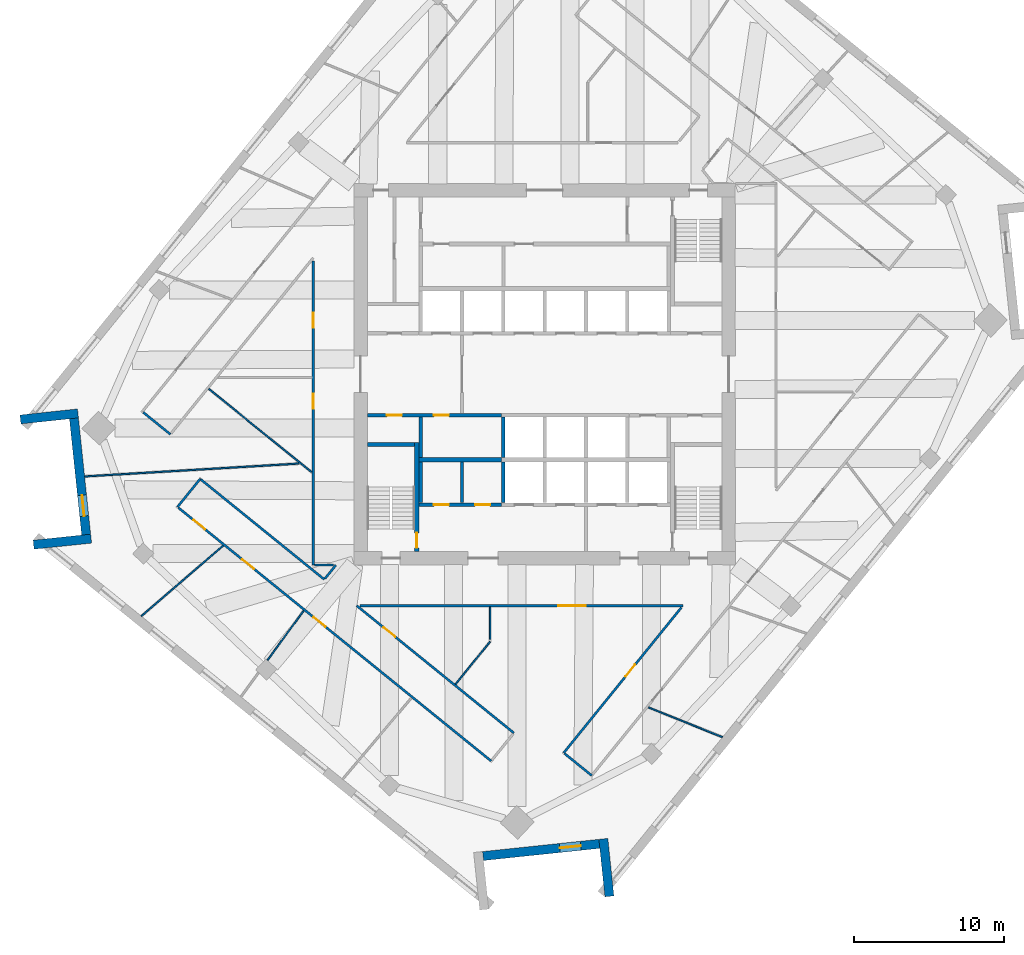
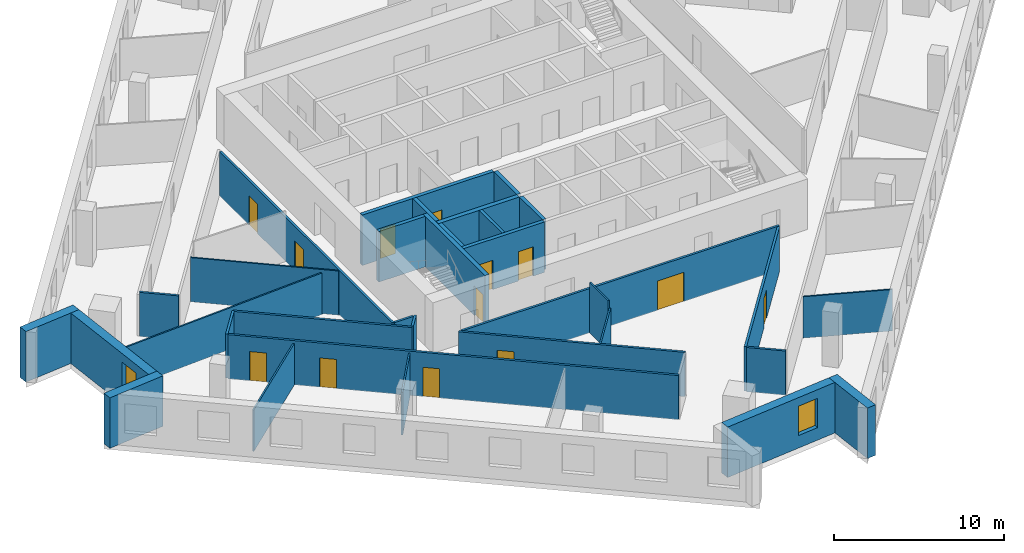
# One storey, part 7 of 14: 33 walls, 13 doors, 2 windows, 15 openings.
"""IFC4 building model written with IfcOpenShell, lengths in metres."""

from ifc_helpers import new_model, si_unit, direction, frame, frame_2d, origin, place, context, subcontext, project, spatial, rectangle, extrude, material, layer, layer_set, type_object, element, fill, save


model = new_model("IFC4")

# Units and contexts
model_context = context("Model", 3, precision=1e-05, world=origin(), true_north=direction((0.0, 1.0)))
body_context = subcontext(model_context, "Body", "Model", "MODEL_VIEW")
ifc_project = project(units=[si_unit("LENGTHUNIT", "METRE"), si_unit("AREAUNIT", "SQUARE_METRE"), si_unit("VOLUMEUNIT", "CUBIC_METRE"), si_unit("PLANEANGLEUNIT", "RADIAN"), si_unit("MASSUNIT", "GRAM", prefix="KILO")], contexts=[model_context])

# Site, building, storey
site_placement = place(None, origin())
site = spatial("IfcSite", under=ifc_project, at=site_placement, CompositionType="ELEMENT")
building_placement = place(site_placement, origin())
building = spatial("IfcBuilding", under=site, at=building_placement, Name="Dilmun Exchange Tower", CompositionType="ELEMENT")
storey_placement = place(building_placement, frame((0.0, 0.0, 225.300048828125)))
storey = spatial("IfcBuildingStorey", under=building, at=storey_placement, Name="L53", CompositionType="ELEMENT", Elevation=225.300048828125)

# Wall
ifc_material_1 = material(Name="Concrete C40/50", Category="concrete")
ifc_layer_1 = layer(ifc_material_1, 0.199951171875)
ifc_layer_set_1 = layer_set([ifc_layer_1], Name="Concrete C40/50")
wall_type_1 = type_object("IfcWallType", Name="Core partition wall 200", PredefinedType="PARTITIONING", material=ifc_layer_set_1)
wall_1_placement = place(storey_placement, frame((-5.5, -8.544921875, 0.0), z_axis=(0.0, 0.0, 1.0), x_axis=(0.0, 1.0, 0.0)))
element("IfcWall", 1, at=wall_1_placement, inside=storey, type_object=wall_type_1, Name="L53 core partition wall 04", PredefinedType="PARTITIONING", context=body_context, shape_type="SweptSolid", body=[
    extrude(rectangle(XDim=2.68994140625, YDim=0.199951171875, at=frame_2d((1.344970703125, 0.0))), origin(), (0.0, 0.0, 1.0), 3.619873046875),
])

# Wall, openings, doors
ifc_layer_2 = layer(ifc_material_1, 0.25)
ifc_layer_set_2 = layer_set([ifc_layer_2], Name="Concrete C40/50")
wall_type_2 = type_object("IfcWallType", Name="Core partition wall 250", PredefinedType="PARTITIONING", material=ifc_layer_set_2)
wall_2_placement = place(storey_placement, frame((-8.3701171875, -8.675048828125, 0.0), z_axis=(0.0, 0.0, 1.0), x_axis=(1.0, 0.0, 0.0)))
wall_2 = element("IfcWall", 2, at=wall_2_placement, inside=storey, type_object=wall_type_2, Name="L53 core partition wall 02", PredefinedType="PARTITIONING", context=body_context, shape_type="SweptSolid", body=[
    extrude(rectangle(XDim=5.490234375, YDim=0.25, at=frame_2d((2.7451171875, 0.0))), origin(), (0.0, 0.0, 1.0), 3.619873046875),
])
opening_1_placement = place(wall_2_placement, frame((0.9951171875, 0.0, 0.0)))
opening_1 = element("IfcOpeningElement", 3, at=opening_1_placement, cuts=wall_2, Name="Opening CD4", PredefinedType="OPENING", context=body_context, shape_type="SweptSolid", body=[
    extrude(rectangle(XDim=1.0, YDim=2.10009765625, at=frame_2d((0.5, 1.050048828125))), frame((0.0, 0.135009765625, 0.0), z_axis=(0.0, -1.0, 0.0), x_axis=(1.0, 0.0, 0.0)), (0.0, 0.0, 1.0), 0.27001953125),
])
opening_2_placement = place(wall_2_placement, frame((3.7451171875, 0.0, 0.0)))
opening_2 = element("IfcOpeningElement", 4, at=opening_2_placement, cuts=wall_2, Name="Opening CD4", PredefinedType="OPENING", context=body_context, shape_type="SweptSolid", body=[
    extrude(rectangle(XDim=1.0, YDim=2.10009765625, at=frame_2d((0.5, 1.050048828125))), frame((0.0, 0.135009765625, 0.0), z_axis=(0.0, -1.0, 0.0), x_axis=(1.0, 0.0, 0.0)), (0.0, 0.0, 1.0), 0.27001953125),
])
ifc_material_2 = material(Name="Fire-rated steel door set", Category="steel")
door_type_1 = type_object("IfcDoorType", Name="Core room door 1000x2100", OperationType="SINGLE_SWING_LEFT", PredefinedType="DOOR", material=ifc_material_2)
door_1_placement = place(opening_1_placement, origin())
door_1 = element("IfcDoor", 5, at=door_1_placement, inside=storey, type_object=door_type_1, Name="L53 door Male WC", OperationType="SINGLE_SWING_RIGHT", OverallHeight=2.10009765625, OverallWidth=1.0, PredefinedType="DOOR", context=body_context, shape_type="SweptSolid", body=[
    extrude(rectangle(XDim=1.0, YDim=2.10009765625, at=frame_2d((0.5, 1.050048828125))), frame((0.0, 0.02490234375, 0.0), z_axis=(0.0, -1.0, 0.0), x_axis=(1.0, 0.0, 0.0)), (0.0, 0.0, 1.0), 0.050048828125),
])
fill(opening_1, door_1)
door_2_placement = place(opening_2_placement, origin())
door_2 = element("IfcDoor", 6, at=door_2_placement, inside=storey, type_object=door_type_1, Name="L53 door Female WC", OperationType="SINGLE_SWING_RIGHT", OverallHeight=2.10009765625, OverallWidth=1.0, PredefinedType="DOOR", context=body_context, shape_type="SweptSolid", body=[
    extrude(rectangle(XDim=1.0, YDim=2.10009765625, at=frame_2d((0.5, 1.050048828125))), frame((0.0, 0.02490234375, 0.0), z_axis=(0.0, -1.0, 0.0), x_axis=(1.0, 0.0, 0.0)), (0.0, 0.0, 1.0), 0.050048828125),
])
fill(opening_2, door_2)

# Walls
for number, where, z_axis, x_axis, name in (
    (7, (-8.25, -8.544921875, 0.0), (0.0, 0.0, 1.0), (0.0, 1.0, 0.0), "L53 core partition wall 03"),
    (8, (-8.25, -5.544921875, 0.0), (0.0, 0.0, 1.0), (0.0, 1.0, 0.0), "L53 core partition wall 06"),
):
    element("IfcWall", number, at=place(storey_placement, frame(where, z_axis=z_axis, x_axis=x_axis)), inside=storey, type_object=wall_type_2, Name=name, PredefinedType="PARTITIONING", context=body_context, shape_type="SweptSolid", body=[
        extrude(rectangle(XDim=2.68994140625, YDim=0.25, at=frame_2d((1.344970703125, 0.0))), origin(), (0.0, 0.0, 1.0), 3.619873046875),
    ])

# Wall, openings, doors
wall_3_placement = place(storey_placement, frame((-11.794921875, -2.72509765625, 0.0), z_axis=(0.0, 0.0, 1.0), x_axis=(1.0, 0.0, 0.0)))
wall_3 = element("IfcWall", 9, at=wall_3_placement, inside=storey, type_object=wall_type_2, Name="L53 core partition wall 08", PredefinedType="PARTITIONING", context=body_context, shape_type="SweptSolid", body=[
    extrude(rectangle(XDim=8.9150390625, YDim=0.25, at=frame_2d((4.45751953125, 0.0))), origin(), (0.0, 0.0, 1.0), 3.619873046875),
])
opening_3_placement = place(wall_3_placement, frame((1.294921875, 0.0, 0.0)))
opening_3 = element("IfcOpeningElement", 10, at=opening_3_placement, cuts=wall_3, Name="Opening CD4", PredefinedType="OPENING", context=body_context, shape_type="SweptSolid", body=[
    extrude(rectangle(XDim=1.0, YDim=2.10009765625, at=frame_2d((0.5, 1.050048828125))), frame((0.0, 0.135009765625, 0.0), z_axis=(0.0, -1.0, 0.0), x_axis=(1.0, 0.0, 0.0)), (0.0, 0.0, 1.0), 0.27001953125),
])
opening_4_placement = place(wall_3_placement, frame((4.419921875, 0.0, 0.0)))
opening_4 = element("IfcOpeningElement", 11, at=opening_4_placement, cuts=wall_3, Name="Opening CD4", PredefinedType="OPENING", context=body_context, shape_type="SweptSolid", body=[
    extrude(rectangle(XDim=1.0, YDim=2.10009765625, at=frame_2d((0.5, 1.050048828125))), frame((0.0, 0.135009765625, 0.0), z_axis=(0.0, -1.0, 0.0), x_axis=(1.0, 0.0, 0.0)), (0.0, 0.0, 1.0), 0.27001953125),
])
door_3_placement = place(opening_3_placement, origin())
door_3 = element("IfcDoor", 12, at=door_3_placement, inside=storey, type_object=door_type_1, Name="L53 door Accessible WC", OperationType="SINGLE_SWING_RIGHT", OverallHeight=2.10009765625, OverallWidth=1.0, PredefinedType="DOOR", context=body_context, shape_type="SweptSolid", body=[
    extrude(rectangle(XDim=1.0, YDim=2.10009765625, at=frame_2d((0.5, 1.050048828125))), frame((0.0, 0.02490234375, 0.0), z_axis=(0.0, -1.0, 0.0), x_axis=(1.0, 0.0, 0.0)), (0.0, 0.0, 1.0), 0.050048828125),
])
fill(opening_3, door_3)
door_4_placement = place(opening_4_placement, origin())
door_4 = element("IfcDoor", 13, at=door_4_placement, inside=storey, type_object=door_type_1, Name="L53 door Tenant services room", OperationType="SINGLE_SWING_RIGHT", OverallHeight=2.10009765625, OverallWidth=1.0, PredefinedType="DOOR", context=body_context, shape_type="SweptSolid", body=[
    extrude(rectangle(XDim=1.0, YDim=2.10009765625, at=frame_2d((0.5, 1.050048828125))), frame((0.0, 0.02490234375, 0.0), z_axis=(0.0, -1.0, 0.0), x_axis=(1.0, 0.0, 0.0)), (0.0, 0.0, 1.0), 0.050048828125),
])
fill(opening_4, door_4)

# Walls
ifc_layer_3 = layer(ifc_material_1, 0.300048828125)
ifc_layer_set_3 = layer_set([ifc_layer_3], Name="Concrete C40/50")
wall_type_3 = type_object("IfcWallType", Name="Core partition wall 300", PredefinedType="PARTITIONING", material=ifc_layer_set_3)
wall_4_placement = place(storey_placement, frame((-8.35009765625, -5.699951171875, 0.0), z_axis=(0.0, 0.0, 1.0), x_axis=(1.0, 0.0, 0.0)))
element("IfcWall", 14, at=wall_4_placement, inside=storey, type_object=wall_type_3, Name="L53 core partition wall 05", PredefinedType="PARTITIONING", context=body_context, shape_type="SweptSolid", body=[
    extrude(rectangle(XDim=5.47021484375, YDim=0.300048828125, at=frame_2d((2.735107421875, 0.0))), origin(), (0.0, 0.0, 1.0), 3.619873046875),
])
ifc_material_3 = material(Name="Corridor wall 150")
ifc_layer_4 = layer(ifc_material_3, 0.14990234375)
ifc_layer_set_4 = layer_set([ifc_layer_4], Name="Corridor wall 150")
wall_type_4 = type_object("IfcWallType", Name="Corridor wall 150", PredefinedType="PARTITIONING", material=ifc_layer_set_4)
wall_5_placement = place(storey_placement, frame((-26.710693359375, -2.5341796875, 0.0), z_axis=(0.0, 0.0, 1.0), x_axis=(0.777166601342, -0.62929490206, 0.0)))
element("IfcWall", 15, at=wall_5_placement, inside=storey, type_object=wall_type_4, Name="Corridor wall", PredefinedType="PARTITIONING", context=body_context, shape_type="SweptSolid", body=[
    extrude(rectangle(XDim=2.32470703125, YDim=0.14990234375, at=frame_2d((1.162353515625, 0.0))), origin(), (0.0, 0.0, 1.0), 3.169921875),
])
wall_6_placement = place(storey_placement, frame((-24.431884765625, -8.8310546875, 0.0), z_axis=(0.0, 0.0, 1.0), x_axis=(0.629201155621, 0.77724250126, 0.0)))
element("IfcWall", 16, at=wall_6_placement, inside=storey, type_object=wall_type_4, Name="Corridor wall", PredefinedType="PARTITIONING", context=body_context, shape_type="SweptSolid", body=[
    extrude(rectangle(XDim=2.3994140625, YDim=0.14990234375, at=frame_2d((1.19970703125, 0.0))), origin(), (0.0, 0.0, 1.0), 3.169921875),
])

# Wall, openings, doors
wall_7_placement = place(storey_placement, frame((-24.373779296875, -8.878173828125, 0.0), z_axis=(0.0, 0.0, 1.0), x_axis=(0.777132572121, -0.629336925143, 0.0)))
wall_7 = element("IfcWall", 17, at=wall_7_placement, inside=storey, type_object=wall_type_4, Name="Corridor wall", PredefinedType="PARTITIONING", context=body_context, shape_type="SweptSolid", body=[
    extrude(rectangle(XDim=26.78515625, YDim=0.14990234375, at=frame_2d((13.392578125, 0.0))), origin(), (0.0, 0.0, 1.0), 3.169921875),
])
opening_5_placement = place(wall_7_placement, frame((1.300048828125, 0.0, 0.0)))
opening_5 = element("IfcOpeningElement", 18, at=opening_5_placement, cuts=wall_7, Name="Opening TF53-D02", PredefinedType="OPENING", context=body_context, shape_type="SweptSolid", body=[
    extrude(rectangle(XDim=1.0, YDim=2.10009765625, at=frame_2d((0.5, 1.050048828125))), frame((0.0, 0.0849609375, 0.0), z_axis=(0.0, -1.0, 0.0), x_axis=(1.0, 0.0, 0.0)), (0.0, 0.0, 1.0), 0.169921875),
])
opening_6_placement = place(wall_7_placement, frame((5.46142578125, 0.0, 0.0)))
opening_6 = element("IfcOpeningElement", 19, at=opening_6_placement, cuts=wall_7, Name="Opening TF53-D03", PredefinedType="OPENING", context=body_context, shape_type="SweptSolid", body=[
    extrude(rectangle(XDim=1.0, YDim=2.10009765625, at=frame_2d((0.5, 1.050048828125))), frame((0.0, 0.0849609375, 0.0), z_axis=(0.0, -1.0, 0.0), x_axis=(1.0, 0.0, 0.0)), (0.0, 0.0, 1.0), 0.169921875),
])
opening_7_placement = place(wall_7_placement, frame((11.586669921875, 0.0, 0.0)))
opening_7 = element("IfcOpeningElement", 20, at=opening_7_placement, cuts=wall_7, Name="Opening TF53-D08", PredefinedType="OPENING", context=body_context, shape_type="SweptSolid", body=[
    extrude(rectangle(XDim=1.0, YDim=2.10009765625, at=frame_2d((0.5, 1.050048828125))), frame((0.0, 0.0849609375, 0.0), z_axis=(0.0, -1.0, 0.0), x_axis=(1.0, 0.0, 0.0)), (0.0, 0.0, 1.0), 0.169921875),
])
ifc_material_4 = material(Name="Fire door 1000 x 2100")
door_type_2 = type_object("IfcDoorType", Name="Fire door 1000 x 2100", OperationType="NOTDEFINED", PredefinedType="DOOR", material=ifc_material_4)
door_5_placement = place(opening_5_placement, frame((1.0, 0.0, 0.0), z_axis=(0.0, 0.0, 1.0), x_axis=(-1.0, 0.0, 0.0)))
door_5 = element("IfcDoor", 21, at=door_5_placement, inside=storey, type_object=door_type_2, Name="Door TF53-D02", OperationType="SINGLE_SWING_LEFT", OverallHeight=2.10009765625, OverallWidth=1.0, PredefinedType="DOOR", context=body_context, shape_type="SweptSolid", body=[
    extrude(rectangle(XDim=1.0, YDim=2.10009765625, at=frame_2d((0.5, 1.050048828125))), frame((0.0, 0.02490234375, 0.0), z_axis=(0.0, -1.0, 0.0), x_axis=(1.0, 0.0, 0.0)), (0.0, 0.0, 1.0), 0.050048828125),
])
fill(opening_5, door_5)
door_6_placement = place(opening_6_placement, frame((1.0, 0.0, 0.0), z_axis=(0.0, 0.0, 1.0), x_axis=(-1.0, 0.0, 0.0)))
door_6 = element("IfcDoor", 22, at=door_6_placement, inside=storey, type_object=door_type_2, Name="Door TF53-D03", OperationType="SINGLE_SWING_LEFT", OverallHeight=2.10009765625, OverallWidth=1.0, PredefinedType="DOOR", context=body_context, shape_type="SweptSolid", body=[
    extrude(rectangle(XDim=1.0, YDim=2.10009765625, at=frame_2d((0.5, 1.050048828125))), frame((0.0, 0.02490234375, 0.0), z_axis=(0.0, -1.0, 0.0), x_axis=(1.0, 0.0, 0.0)), (0.0, 0.0, 1.0), 0.050048828125),
])
fill(opening_6, door_6)
door_7_placement = place(opening_7_placement, frame((1.0, 0.0, 0.0), z_axis=(0.0, 0.0, 1.0), x_axis=(-1.0, 0.0, 0.0)))
door_7 = element("IfcDoor", 23, at=door_7_placement, inside=storey, type_object=door_type_2, Name="Door TF53-D08", OperationType="SINGLE_SWING_RIGHT", OverallHeight=2.10009765625, OverallWidth=1.0, PredefinedType="DOOR", context=body_context, shape_type="SweptSolid", body=[
    extrude(rectangle(XDim=1.0, YDim=2.10009765625, at=frame_2d((0.5, 1.050048828125))), frame((0.0, 0.02490234375, 0.0), z_axis=(0.0, -1.0, 0.0), x_axis=(1.0, 0.0, 0.0)), (0.0, 0.0, 1.0), 0.050048828125),
])
fill(opening_7, door_7)

# Wall
wall_8_placement = place(storey_placement, frame((-22.922119140625, -6.965087890625, 0.0), z_axis=(0.0, 0.0, 1.0), x_axis=(0.777148029431, -0.629317837306, 0.0)))
element("IfcWall", 24, at=wall_8_placement, inside=storey, type_object=wall_type_4, Name="Corridor wall", PredefinedType="PARTITIONING", context=body_context, shape_type="SweptSolid", body=[
    extrude(rectangle(XDim=10.62744140625, YDim=0.14990234375, at=frame_2d((5.313720703125, 0.0))), origin(), (0.0, 0.0, 1.0), 3.169921875),
])

# Wall, openings, doors
wall_9_placement = place(storey_placement, frame((-15.39990234375, -12.699951171875, 0.0), z_axis=(0.0, 0.0, 1.0), x_axis=(0.0, 1.0, 0.0)))
wall_9 = element("IfcWall", 25, at=wall_9_placement, inside=storey, type_object=wall_type_4, Name="Corridor wall", PredefinedType="PARTITIONING", context=body_context, shape_type="SweptSolid", body=[
    extrude(rectangle(XDim=20.22705078125, YDim=0.14990234375, at=frame_2d((10.113525390625, 0.0))), origin(), (0.0, 0.0, 1.0), 3.169921875),
])
opening_8_placement = place(wall_9_placement, frame((10.399658203125, 0.0, 0.0)))
opening_8 = element("IfcOpeningElement", 26, at=opening_8_placement, cuts=wall_9, Name="Opening TF53-D05", PredefinedType="OPENING", context=body_context, shape_type="SweptSolid", body=[
    extrude(rectangle(XDim=1.0, YDim=2.10009765625, at=frame_2d((0.5, 1.050048828125))), frame((0.0, 0.0849609375, 0.0), z_axis=(0.0, -1.0, 0.0), x_axis=(1.0, 0.0, 0.0)), (0.0, 0.0, 1.0), 0.169921875),
])
opening_9_placement = place(wall_9_placement, frame((15.7841796875, 0.0, 0.0)))
opening_9 = element("IfcOpeningElement", 27, at=opening_9_placement, cuts=wall_9, Name="Opening TF53-D06", PredefinedType="OPENING", context=body_context, shape_type="SweptSolid", body=[
    extrude(rectangle(XDim=1.0, YDim=2.10009765625, at=frame_2d((0.5, 1.050048828125))), frame((0.0, 0.0849609375, 0.0), z_axis=(0.0, -1.0, 0.0), x_axis=(1.0, 0.0, 0.0)), (0.0, 0.0, 1.0), 0.169921875),
])
door_8_placement = place(opening_8_placement, origin())
door_8 = element("IfcDoor", 28, at=door_8_placement, inside=storey, type_object=door_type_2, Name="Door TF53-D05", OperationType="SINGLE_SWING_RIGHT", OverallHeight=2.10009765625, OverallWidth=1.0, PredefinedType="DOOR", context=body_context, shape_type="SweptSolid", body=[
    extrude(rectangle(XDim=1.0, YDim=2.10009765625, at=frame_2d((0.5, 1.050048828125))), frame((0.0, 0.02490234375, 0.0), z_axis=(0.0, -1.0, 0.0), x_axis=(1.0, 0.0, 0.0)), (0.0, 0.0, 1.0), 0.050048828125),
])
fill(opening_8, door_8)
door_9_placement = place(opening_9_placement, origin())
door_9 = element("IfcDoor", 29, at=door_9_placement, inside=storey, type_object=door_type_2, Name="Door TF53-D06", OperationType="SINGLE_SWING_LEFT", OverallHeight=2.10009765625, OverallWidth=1.0, PredefinedType="DOOR", context=body_context, shape_type="SweptSolid", body=[
    extrude(rectangle(XDim=1.0, YDim=2.10009765625, at=frame_2d((0.5, 1.050048828125))), frame((0.0, 0.02490234375, 0.0), z_axis=(0.0, -1.0, 0.0), x_axis=(1.0, 0.0, 0.0)), (0.0, 0.0, 1.0), 0.050048828125),
])
fill(opening_9, door_9)

# Walls
wall_10_placement = place(storey_placement, frame((-15.324951171875, -12.699951171875, 0.0), z_axis=(0.0, 0.0, 1.0), x_axis=(1.0, 0.0, 0.0)))
element("IfcWall", 30, at=wall_10_placement, inside=storey, type_object=wall_type_4, Name="Corridor wall", PredefinedType="PARTITIONING", context=body_context, shape_type="SweptSolid", body=[
    extrude(rectangle(XDim=1.276611328125, YDim=0.14990234375, at=frame_2d((0.63818359375, 0.0))), origin(), (0.0, 0.0, 1.0), 3.169921875),
])
wall_11_placement = place(storey_placement, frame((-14.61572265625, -13.5947265625, 0.0), z_axis=(0.0, 0.0, 1.0), x_axis=(0.629338514223, 0.777131285251, 0.0)))
element("IfcWall", 31, at=wall_11_placement, inside=storey, type_object=wall_type_4, Name="Corridor wall", PredefinedType="PARTITIONING", context=body_context, shape_type="SweptSolid", body=[
    extrude(rectangle(XDim=1.1513671875, YDim=0.14990234375, at=frame_2d((0.57568359375, 0.0))), origin(), (0.0, 0.0, 1.0), 3.169921875),
])

# Wall, opening, door
wall_12_placement = place(storey_placement, frame((-12.5048828125, -15.39990234375, 0.0), z_axis=(0.0, 0.0, 1.0), x_axis=(0.77712909422, -0.629341219783, 0.0)))
wall_12 = element("IfcWall", 32, at=wall_12_placement, inside=storey, type_object=wall_type_4, Name="Corridor wall", PredefinedType="PARTITIONING", context=body_context, shape_type="SweptSolid", body=[
    extrude(rectangle(XDim=13.45703125, YDim=0.14990234375, at=frame_2d((6.728515625, 0.0))), origin(), (0.0, 0.0, 1.0), 3.169921875),
])
opening_10_placement = place(wall_12_placement, frame((2.300048828125, 0.0, 0.0)))
opening_10 = element("IfcOpeningElement", 33, at=opening_10_placement, cuts=wall_12, Name="Opening TF53-D10", PredefinedType="OPENING", context=body_context, shape_type="SweptSolid", body=[
    extrude(rectangle(XDim=1.0, YDim=2.10009765625, at=frame_2d((0.5, 1.050048828125))), frame((0.0, 0.0849609375, 0.0), z_axis=(0.0, -1.0, 0.0), x_axis=(1.0, 0.0, 0.0)), (0.0, 0.0, 1.0), 0.169921875),
])
door_10_placement = place(opening_10_placement, origin())
door_10 = element("IfcDoor", 34, at=door_10_placement, inside=storey, type_object=door_type_2, Name="Door TF53-D10", OperationType="SINGLE_SWING_RIGHT", OverallHeight=2.10009765625, OverallWidth=1.0, PredefinedType="DOOR", context=body_context, shape_type="SweptSolid", body=[
    extrude(rectangle(XDim=1.0, YDim=2.10009765625, at=frame_2d((0.5, 1.050048828125))), frame((0.0, 0.02490234375, 0.0), z_axis=(0.0, -1.0, 0.0), x_axis=(1.0, 0.0, 0.0)), (0.0, 0.0, 1.0), 0.050048828125),
])
fill(opening_10, door_10)

wall_13_placement = place(storey_placement, frame((-12.293212890625, -15.39990234375, 0.0), z_axis=(0.0, 0.0, 1.0), x_axis=(1.0, 0.0, 0.0)))
wall_13 = element("IfcWall", 35, at=wall_13_placement, inside=storey, type_object=wall_type_4, Name="Corridor wall", PredefinedType="PARTITIONING", context=body_context, shape_type="SweptSolid", body=[
    extrude(rectangle(XDim=21.4892578125, YDim=0.14990234375, at=frame_2d((10.74462890625, 0.0))), origin(), (0.0, 0.0, 1.0), 3.169921875),
])
opening_11_placement = place(wall_13_placement, frame((13.21240234375, 0.0, 0.0)))
opening_11 = element("IfcOpeningElement", 36, at=opening_11_placement, cuts=wall_13, Name="Opening TF53-D11", PredefinedType="OPENING", context=body_context, shape_type="SweptSolid", body=[
    extrude(rectangle(XDim=1.800048828125, YDim=2.10009765625, at=frame_2d((0.89990234375, 1.050048828125))), frame((0.0, 0.0849609375, 0.0), z_axis=(0.0, -1.0, 0.0), x_axis=(1.0, 0.0, 0.0)), (0.0, 0.0, 1.0), 0.169921875),
])
ifc_material_5 = material(Name="Fire door pair 1800 x 2100")
door_type_3 = type_object("IfcDoorType", Name="Fire door pair 1800 x 2100", OperationType="NOTDEFINED", PredefinedType="DOOR", material=ifc_material_5)
door_11_placement = place(opening_11_placement, frame((1.800048828125, 0.0, 0.0), z_axis=(0.0, 0.0, 1.0), x_axis=(-1.0, 0.0, 0.0)))
door_11 = element("IfcDoor", 37, at=door_11_placement, inside=storey, type_object=door_type_3, Name="Door TF53-D11", OperationType="DOUBLE_DOOR_SINGLE_SWING", OverallHeight=2.10009765625, OverallWidth=1.800048828125, PredefinedType="DOOR", context=body_context, shape_type="SweptSolid", body=[
    extrude(rectangle(XDim=1.800048828125, YDim=2.10009765625, at=frame_2d((0.89990234375, 1.050048828125))), frame((0.0, 0.02490234375, 0.0), z_axis=(0.0, -1.0, 0.0), x_axis=(1.0, 0.0, 0.0)), (0.0, 0.0, 1.0), 0.050048828125),
])
fill(opening_11, door_11)

wall_14_placement = place(storey_placement, frame((1.26806640625, -25.19091796875, 0.0), z_axis=(0.0, 0.0, 1.0), x_axis=(0.629298143895, 0.777163976321, 0.0)))
wall_14 = element("IfcWall", 38, at=wall_14_placement, inside=storey, type_object=wall_type_4, Name="Corridor wall", PredefinedType="PARTITIONING", context=body_context, shape_type="SweptSolid", body=[
    extrude(rectangle(XDim=12.44091796875, YDim=0.14990234375, at=frame_2d((6.220458984375, 0.0))), origin(), (0.0, 0.0, 1.0), 3.169921875),
])
opening_12_placement = place(wall_14_placement, frame((6.55029296875, 0.0, 0.0)))
opening_12 = element("IfcOpeningElement", 39, at=opening_12_placement, cuts=wall_14, Name="Opening TF53-D12", PredefinedType="OPENING", context=body_context, shape_type="SweptSolid", body=[
    extrude(rectangle(XDim=1.0, YDim=2.10009765625, at=frame_2d((0.5, 1.050048828125))), frame((0.0, 0.0849609375, 0.0), z_axis=(0.0, -1.0, 0.0), x_axis=(1.0, 0.0, 0.0)), (0.0, 0.0, 1.0), 0.169921875),
])
door_12_placement = place(opening_12_placement, origin())
door_12 = element("IfcDoor", 40, at=door_12_placement, inside=storey, type_object=door_type_2, Name="Door TF53-D12", OperationType="SINGLE_SWING_LEFT", OverallHeight=2.10009765625, OverallWidth=1.0, PredefinedType="DOOR", context=body_context, shape_type="SweptSolid", body=[
    extrude(rectangle(XDim=1.0, YDim=2.10009765625, at=frame_2d((0.5, 1.050048828125))), frame((0.0, 0.02490234375, 0.0), z_axis=(0.0, -1.0, 0.0), x_axis=(1.0, 0.0, 0.0)), (0.0, 0.0, 1.0), 0.050048828125),
])
fill(opening_12, door_12)

# Walls
wall_15_placement = place(storey_placement, frame((1.326416015625, -25.23828125, 0.0), z_axis=(0.0, 0.0, 1.0), x_axis=(0.777217965191, -0.629231463441, 0.0)))
element("IfcWall", 41, at=wall_15_placement, inside=storey, type_object=wall_type_4, Name="Corridor wall", PredefinedType="PARTITIONING", context=body_context, shape_type="SweptSolid", body=[
    extrude(rectangle(XDim=2.324462890625, YDim=0.14990234375, at=frame_2d((1.162109375, 0.0))), origin(), (0.0, 0.0, 1.0), 3.169921875),
])
ifc_layer_5 = layer(ifc_material_1, 0.25)
ifc_layer_set_5 = layer_set([ifc_layer_5], Name="Concrete C40/50")
wall_type_5 = type_object("IfcWallType", Name="Lift shaft wall 250", PredefinedType="SOLIDWALL", material=ifc_layer_set_5)
for number, where, z_axis, x_axis, name in (
    (42, (-2.75, -5.550048828125, 0.0), (0.0, 0.0, 1.0), (0.0, 1.0, 0.0), "L53 lift shaft divider S12"),
    (43, (-2.75, -8.550048828125, 0.0), (0.0, 0.0, 1.0), (0.0, 1.0, 0.0), "L53 lift shaft divider S22"),
):
    element("IfcWall", number, at=place(storey_placement, frame(where, z_axis=z_axis, x_axis=x_axis)), inside=storey, type_object=wall_type_5, Name=name, PredefinedType="SOLIDWALL", context=body_context, shape_type="SweptSolid", body=[
        extrude(rectangle(XDim=2.699951171875, YDim=0.25, at=frame_2d((1.35009765625, 0.0))), origin(), (0.0, 0.0, 1.0), 3.619873046875),
    ])
ifc_material_6 = material(Name="Partition 100")
ifc_layer_6 = layer(ifc_material_6, 0.10009765625)
ifc_layer_set_6 = layer_set([ifc_layer_6], Name="Partition 100")
wall_type_6 = type_object("IfcWallType", Name="Partition 100", PredefinedType="PARTITIONING", material=ifc_layer_set_6)
wall_16_placement = place(storey_placement, frame((-30.610107421875, -6.7998046875, 0.0), z_axis=(0.0, 0.0, 1.0), x_axis=(0.998198116096, 0.060004341699, 0.0)))
element("IfcWall", 44, at=wall_16_placement, inside=storey, type_object=wall_type_6, Name="Partition", PredefinedType="PARTITIONING", context=body_context, shape_type="SweptSolid", body=[
    extrude(rectangle(XDim=14.28515625, YDim=0.10009765625, at=frame_2d((7.142578125, 0.0))), origin(), (0.0, 0.0, 1.0), 2.969970703125),
])
wall_17_placement = place(storey_placement, frame((-26.837158203125, -16.095703125, 0.0), z_axis=(0.0, 0.0, 1.0), x_axis=(0.757242011922, 0.653134393046, 0.0)))
element("IfcWall", 45, at=wall_17_placement, inside=storey, type_object=wall_type_6, Name="Partition", PredefinedType="PARTITIONING", context=body_context, shape_type="SweptSolid", body=[
    extrude(rectangle(XDim=7.18994140625, YDim=0.10009765625, at=frame_2d((3.594970703125, 0.0))), origin(), (0.0, 0.0, 1.0), 2.969970703125),
])
wall_18_placement = place(storey_placement, frame((-22.354736328125, -0.96826171875, 0.0), z_axis=(0.0, 0.0, 1.0), x_axis=(0.777138402267, -0.629329725757, 0.0)))
element("IfcWall", 46, at=wall_18_placement, inside=storey, type_object=wall_type_6, Name="Partition", PredefinedType="PARTITIONING", context=body_context, shape_type="SweptSolid", body=[
    extrude(rectangle(XDim=8.81201171875, YDim=0.10009765625, at=frame_2d((4.406005859375, 0.0))), origin(), (0.0, 0.0, 1.0), 3.169921875),
])
wall_19_placement = place(storey_placement, frame((-18.441162109375, -19.0341796875, 0.0), z_axis=(0.0, 0.0, 1.0), x_axis=(0.588267582256, 0.808666341371, 0.0)))
element("IfcWall", 47, at=wall_19_placement, inside=storey, type_object=wall_type_6, Name="Partition", PredefinedType="PARTITIONING", context=body_context, shape_type="SweptSolid", body=[
    extrude(rectangle(XDim=4.08740234375, YDim=0.10009765625, at=frame_2d((2.043701171875, 0.0))), origin(), (0.0, 0.0, 1.0), 3.050048828125),
])
wall_20_placement = place(storey_placement, frame((-5.9296875, -20.628662109375, 0.0), z_axis=(0.0, 0.0, 1.0), x_axis=(0.629175159383, 0.777263545277, 0.0)))
element("IfcWall", 48, at=wall_20_placement, inside=storey, type_object=wall_type_6, Name="Partition", PredefinedType="PARTITIONING", context=body_context, shape_type="SweptSolid", body=[
    extrude(rectangle(XDim=3.6533203125, YDim=0.10009765625, at=frame_2d((1.82666015625, 0.0))), origin(), (0.0, 0.0, 1.0), 3.169921875),
])
wall_21_placement = place(storey_placement, frame((-3.631103515625, -17.647705078125, 0.0), z_axis=(0.0, 0.0, 1.0), x_axis=(0.0, 1.0, 0.0)))
element("IfcWall", 49, at=wall_21_placement, inside=storey, type_object=wall_type_6, Name="Partition", PredefinedType="PARTITIONING", context=body_context, shape_type="SweptSolid", body=[
    extrude(rectangle(XDim=2.172607421875, YDim=0.10009765625, at=frame_2d((1.08642578125, 0.0))), origin(), (0.0, 0.0, 1.0), 3.619873046875),
])
wall_22_placement = place(storey_placement, frame((6.9150390625, -22.173095703125, 0.0), z_axis=(0.0, 0.0, 1.0), x_axis=(0.928028539505, -0.372509100377, 0.0)))
element("IfcWall", 50, at=wall_22_placement, inside=storey, type_object=wall_type_6, Name="Partition", PredefinedType="PARTITIONING", context=body_context, shape_type="SweptSolid", body=[
    extrude(rectangle(XDim=5.305419921875, YDim=0.10009765625, at=frame_2d((2.65283203125, 0.0))), origin(), (0.0, 0.0, 1.0), 2.969970703125),
])
ifc_material_7 = material(Name="Precast concrete C50/60", Category="concrete")
ifc_layer_7 = layer(ifc_material_7, 0.60009765625)
ifc_layer_set_7 = layer_set([ifc_layer_7], Name="Precast concrete C50/60")
wall_type_7 = type_object("IfcWallType", Name="Precast stone-clad wall 600", PredefinedType="STANDARD", material=ifc_layer_set_7)
wall_23_placement = place(storey_placement, frame((-34.87841796875, -3.0087890625, 0.0), z_axis=(0.0, 0.0, 1.0), x_axis=(0.994521092097, 0.104536105602, 0.0)))
element("IfcWall", 51, at=wall_23_placement, inside=storey, type_object=wall_type_7, Name="Facade wall L53-04", PredefinedType="STANDARD", context=body_context, shape_type="SweptSolid", body=[
    extrude(rectangle(XDim=3.846435546875, YDim=0.60009765625, at=frame_2d((1.92333984375, 0.0))), origin(), (0.0, 0.0, 1.0), 3.619873046875),
])

# Wall, opening, window
wall_24_placement = place(storey_placement, frame((-31.320068359375, -2.936279296875, 0.0), z_axis=(0.0, 0.0, 1.0), x_axis=(0.104552439276, -0.994519375096, 0.0)))
wall_24 = element("IfcWall", 52, at=wall_24_placement, inside=storey, type_object=wall_type_7, Name="Facade wall L53-05", PredefinedType="STANDARD", context=body_context, shape_type="SweptSolid", body=[
    extrude(rectangle(XDim=7.7783203125, YDim=0.60009765625, at=frame_2d((3.88916015625, 0.0))), origin(), (0.0, 0.0, 1.0), 3.619873046875),
])
opening_13_placement = place(wall_24_placement, frame((5.133544921875, 0.0, 0.89990234375)))
opening_13 = element("IfcOpeningElement", 53, at=opening_13_placement, cuts=wall_24, Name="Opening W140-210", PredefinedType="OPENING", context=body_context, shape_type="SweptSolid", body=[
    extrude(rectangle(XDim=1.39990234375, YDim=2.10009765625, at=frame_2d((0.699951171875, 1.050048828125))), frame((0.0, 0.31005859375, 0.0), z_axis=(0.0, -1.0, 0.0), x_axis=(1.0, 0.0, 0.0)), (0.0, 0.0, 1.0), 0.6201171875),
])
ifc_material_8 = material(Name="Clear low-emissivity glass in aluminium frame", Category="aluminium")
window_type = type_object("IfcWindowType", Name="Punched window 1400 x 2100", PartitioningType="DOUBLE_PANEL_VERTICAL", PredefinedType="WINDOW", material=ifc_material_8)
window_1_placement = place(opening_13_placement, origin())
window_1 = element("IfcWindow", 54, at=window_1_placement, inside=storey, type_object=window_type, Name="Window 6.2", OverallHeight=2.10009765625, OverallWidth=1.39990234375, PartitioningType="SINGLE_PANEL", PredefinedType="WINDOW", context=body_context, shape_type="SweptSolid", body=[
    extrude(rectangle(XDim=1.39990234375, YDim=2.10009765625, at=frame_2d((0.699951171875, 1.050048828125))), frame((0.0, 0.030029296875, 0.0), z_axis=(0.0, -1.0, 0.0), x_axis=(1.0, 0.0, 0.0)), (0.0, 0.0, 1.0), 0.06005859375),
])
fill(opening_13, window_1)

# Wall
wall_25_placement = place(storey_placement, frame((-30.17724609375, -10.93896484375, 0.0), z_axis=(0.0, 0.0, 1.0), x_axis=(-0.994521092097, -0.104536105602, 0.0)))
element("IfcWall", 55, at=wall_25_placement, inside=storey, type_object=wall_type_7, Name="Facade wall L53-06", PredefinedType="STANDARD", context=body_context, shape_type="SweptSolid", body=[
    extrude(rectangle(XDim=3.846435546875, YDim=0.60009765625, at=frame_2d((1.92333984375, 0.0))), origin(), (0.0, 0.0, 1.0), 3.619873046875),
])

# Wall, opening, window
wall_26_placement = place(storey_placement, frame((-4.095947265625, -32.05908203125, 0.0), z_axis=(0.0, 0.0, 1.0), x_axis=(0.994522638298, 0.104521394525, 0.0)))
wall_26 = element("IfcWall", 56, at=wall_26_placement, inside=storey, type_object=wall_type_7, Name="Facade wall L53-09", PredefinedType="STANDARD", context=body_context, shape_type="SweptSolid", body=[
    extrude(rectangle(XDim=7.7783203125, YDim=0.60009765625, at=frame_2d((3.88916015625, 0.0))), origin(), (0.0, 0.0, 1.0), 3.619873046875),
])
opening_14_placement = place(wall_26_placement, frame((5.133544921875, 0.0, 0.89990234375)))
opening_14 = element("IfcOpeningElement", 57, at=opening_14_placement, cuts=wall_26, Name="Opening W140-210", PredefinedType="OPENING", context=body_context, shape_type="SweptSolid", body=[
    extrude(rectangle(XDim=1.39990234375, YDim=2.10009765625, at=frame_2d((0.699951171875, 1.050048828125))), frame((0.0, 0.31005859375, 0.0), z_axis=(0.0, -1.0, 0.0), x_axis=(1.0, 0.0, 0.0)), (0.0, 0.0, 1.0), 0.6201171875),
])
window_2_placement = place(opening_14_placement, origin())
window_2 = element("IfcWindow", 58, at=window_2_placement, inside=storey, type_object=window_type, Name="Window 10.2", OverallHeight=2.10009765625, OverallWidth=1.39990234375, PartitioningType="SINGLE_PANEL", PredefinedType="WINDOW", context=body_context, shape_type="SweptSolid", body=[
    extrude(rectangle(XDim=1.39990234375, YDim=2.10009765625, at=frame_2d((0.699951171875, 1.050048828125))), frame((0.0, 0.030029296875, 0.0), z_axis=(0.0, -1.0, 0.0), x_axis=(1.0, 0.0, 0.0)), (0.0, 0.0, 1.0), 0.06005859375),
])
fill(opening_14, window_2)

# Walls
wall_27_placement = place(storey_placement, frame((3.906494140625, -30.91650390625, 0.0), z_axis=(0.0, 0.0, 1.0), x_axis=(0.104542704635, -0.994520398437, 0.0)))
element("IfcWall", 59, at=wall_27_placement, inside=storey, type_object=wall_type_7, Name="Facade wall L53-10", PredefinedType="STANDARD", context=body_context, shape_type="SweptSolid", body=[
    extrude(rectangle(XDim=3.84619140625, YDim=0.60009765625, at=frame_2d((1.923095703125, 0.0))), origin(), (0.0, 0.0, 1.0), 3.619873046875),
])
ifc_layer_8 = layer(ifc_material_1, 0.25)
ifc_layer_set_8 = layer_set([ifc_layer_8], Name="Concrete C40/50")
wall_type_8 = type_object("IfcWallType", Name="Stair end wall 250", PredefinedType="SOLIDWALL", material=ifc_layer_set_8)
wall_28_placement = place(storey_placement, frame((-8.64990234375, -4.675048828125, 0.0), z_axis=(0.0, 0.0, 1.0), x_axis=(-1.0, 0.0, 0.0)))
element("IfcWall", 60, at=wall_28_placement, inside=storey, type_object=wall_type_8, Name="L53 ST2 far wall", PredefinedType="SOLIDWALL", context=body_context, shape_type="SweptSolid", body=[
    extrude(rectangle(XDim=3.150146484375, YDim=0.25, at=frame_2d((1.5751953125, 0.0))), origin(), (0.0, 0.0, 1.0), 3.619873046875),
])

# Wall, opening, door
ifc_layer_9 = layer(ifc_material_1, 0.27490234375)
ifc_layer_set_9 = layer_set([ifc_layer_9], Name="Concrete C40/50")
wall_type_9 = type_object("IfcWallType", Name="Stair wall 275", PredefinedType="SOLIDWALL", material=ifc_layer_set_9)
wall_29_placement = place(storey_placement, frame((-8.512451171875, -4.550048828125, 0.0), z_axis=(0.0, 0.0, 1.0), x_axis=(0.0, -1.0, 0.0)))
wall_29 = element("IfcWall", 61, at=wall_29_placement, inside=storey, type_object=wall_type_9, Name="L53 ST2 wall to lift block", PredefinedType="SOLIDWALL", context=body_context, shape_type="SweptSolid", body=[
    extrude(rectangle(XDim=7.25, YDim=0.27490234375, at=frame_2d((3.625, 0.0))), origin(), (0.0, 0.0, 1.0), 3.619873046875),
])
opening_15_placement = place(wall_29_placement, frame((6.0, 0.0, 0.0)))
opening_15 = element("IfcOpeningElement", 62, at=opening_15_placement, cuts=wall_29, Name="Opening CD4", PredefinedType="OPENING", context=body_context, shape_type="SweptSolid", body=[
    extrude(rectangle(XDim=1.0, YDim=2.10009765625, at=frame_2d((0.5, 1.050048828125))), frame((0.0, 0.1474609375, 0.0), z_axis=(0.0, -1.0, 0.0), x_axis=(1.0, 0.0, 0.0)), (0.0, 0.0, 1.0), 0.294921875),
])
door_13_placement = place(opening_15_placement, origin())
door_13 = element("IfcDoor", 63, at=door_13_placement, inside=storey, type_object=door_type_1, Name="L53 door ST2 from lobby", OperationType="SINGLE_SWING_LEFT", OverallHeight=2.10009765625, OverallWidth=1.0, PredefinedType="DOOR", context=body_context, shape_type="SweptSolid", body=[
    extrude(rectangle(XDim=1.0, YDim=2.10009765625, at=frame_2d((0.5, 1.050048828125))), frame((0.0, 0.02490234375, 0.0), z_axis=(0.0, -1.0, 0.0), x_axis=(1.0, 0.0, 0.0)), (0.0, 0.0, 1.0), 0.050048828125),
])
fill(opening_15, door_13)

save(model, "model.ifc")
